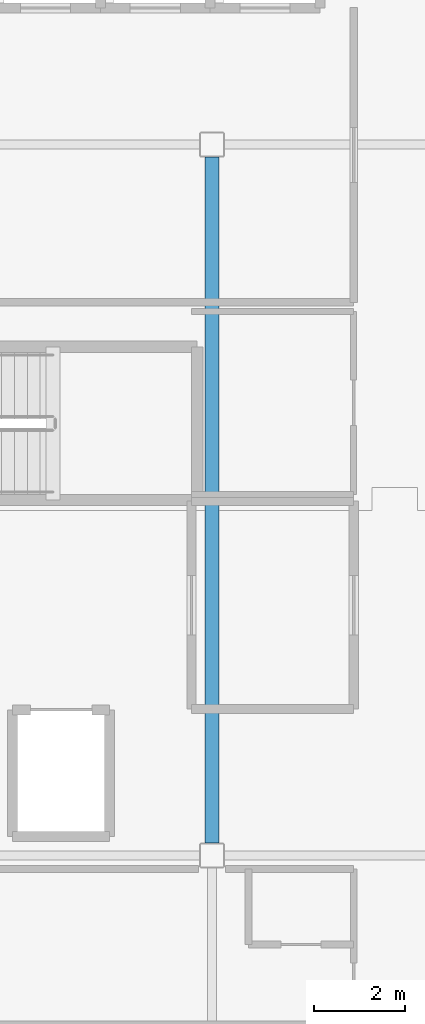
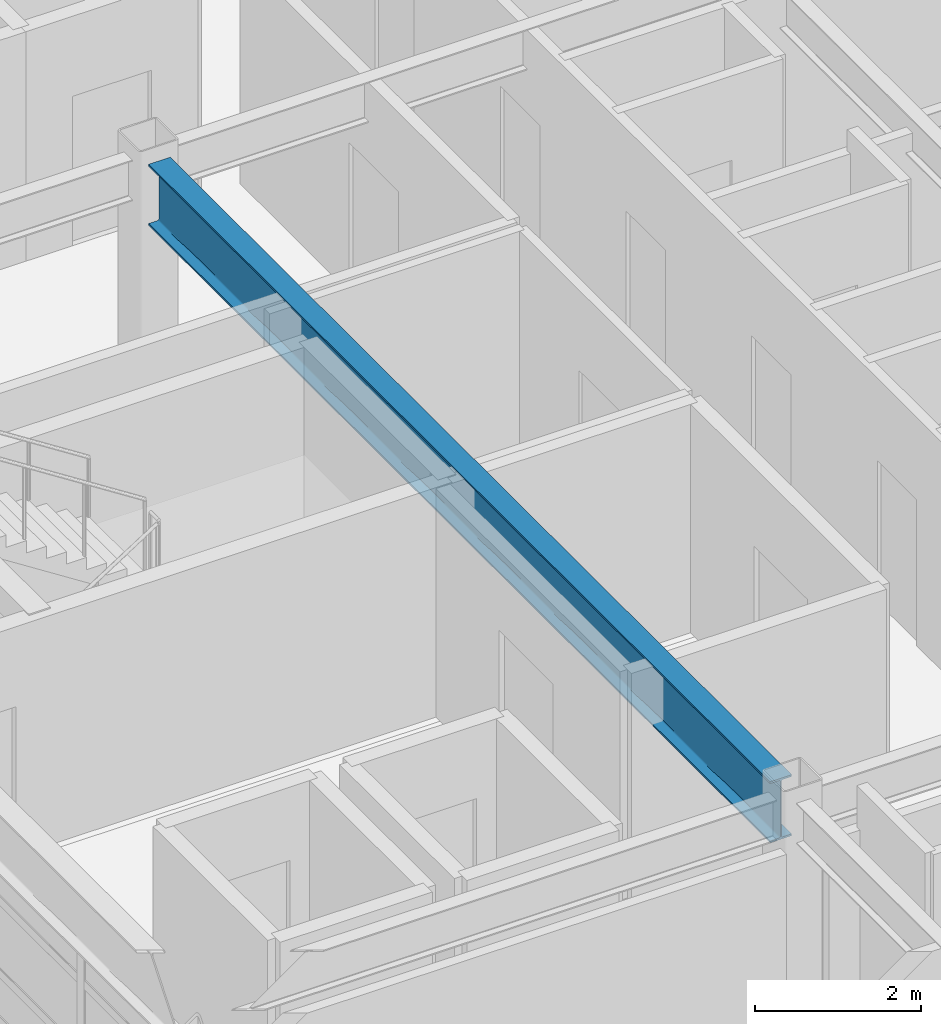
# One storey, part 15 of 36: 1 beam.
"""IFC4 building model written with IfcOpenShell, lengths in metres."""

from ifc_helpers import new_model, si_unit, direction, frame, origin, origin_2d, place, context, subcontext, project, spatial, i_section, extrude, material, material_profile, profile_set, type_object, element, save


model = new_model("IFC4")

# Units and contexts
model_context = context("Model", 3, precision=1e-05, world=origin(), true_north=direction((0.0, 1.0)))
body_context = subcontext(model_context, "Body", "Model", "MODEL_VIEW")
ifc_project = project(units=[si_unit("LENGTHUNIT", "METRE"), si_unit("AREAUNIT", "SQUARE_METRE"), si_unit("VOLUMEUNIT", "CUBIC_METRE"), si_unit("PLANEANGLEUNIT", "RADIAN"), si_unit("MASSUNIT", "GRAM", prefix="KILO")], contexts=[model_context])

# Site, building, storey
site_placement = place(None, origin())
site = spatial("IfcSite", under=ifc_project, at=site_placement, CompositionType="ELEMENT")
building_placement = place(site_placement, origin())
building = spatial("IfcBuilding", under=site, at=building_placement, Name="Kazehara Bluff Congress Hotel", CompositionType="ELEMENT")
storey_placement = place(building_placement, frame((0.0, 0.0, 31.800048828125)))
storey = spatial("IfcBuildingStorey", under=building, at=storey_placement, Name="L07", CompositionType="ELEMENT", Elevation=31.800048828125)

# Beam
ifc_material = material(Name="Steel SN490B", Category="steel")
ifc_material_profile = material_profile(ifc_material, i_section(OverallWidth=0.300048828125, OverallDepth=0.89990234375, WebThickness=0.01611328125, FlangeThickness=0.028076171875, FilletRadius=0.01806640625, at=origin_2d()))
ifc_profile_set = profile_set([ifc_material_profile], Name="Steel SN490B")
beam_type = type_object("IfcBeamType", Name="TP-G-08", PredefinedType="BEAM", material=ifc_profile_set)
beam_placement = place(storey_placement, frame((152.10009765625, 41.175048828125, 2.929931640625), z_axis=(0.0, 1.0, 0.0), x_axis=(-1.0, 0.0, 0.0)))
element("IfcBeam", 1, at=beam_placement, inside=storey, type_object=beam_type, Name="L07 girder G-08 15", PredefinedType="BEAM", context=body_context, shape_type="SweptSolid", body=[
    extrude(i_section(OverallWidth=0.300048828125, OverallDepth=0.89990234375, WebThickness=0.01611328125, FlangeThickness=0.028076171875, FilletRadius=0.01806640625, at=origin_2d()), origin(), (0.0, 0.0, 1.0), 15.0),
])

save(model, "model.ifc")
